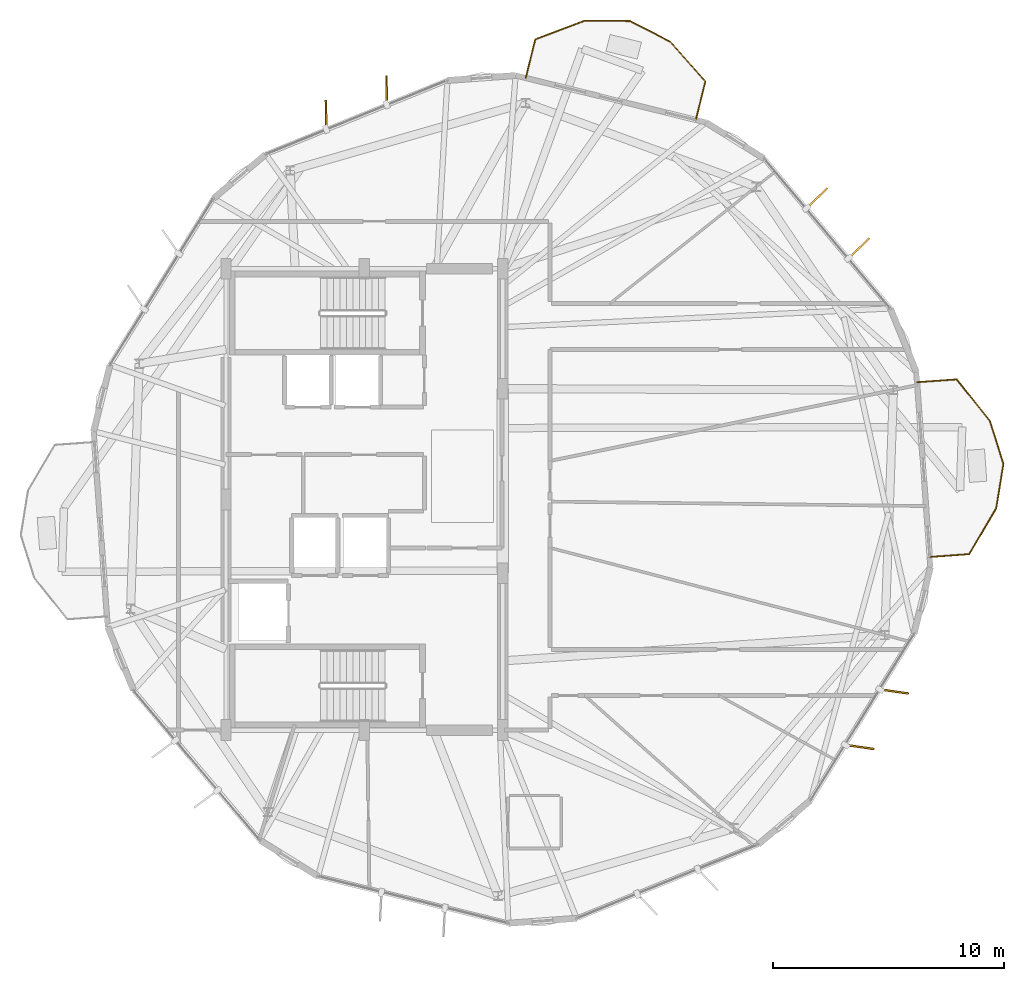
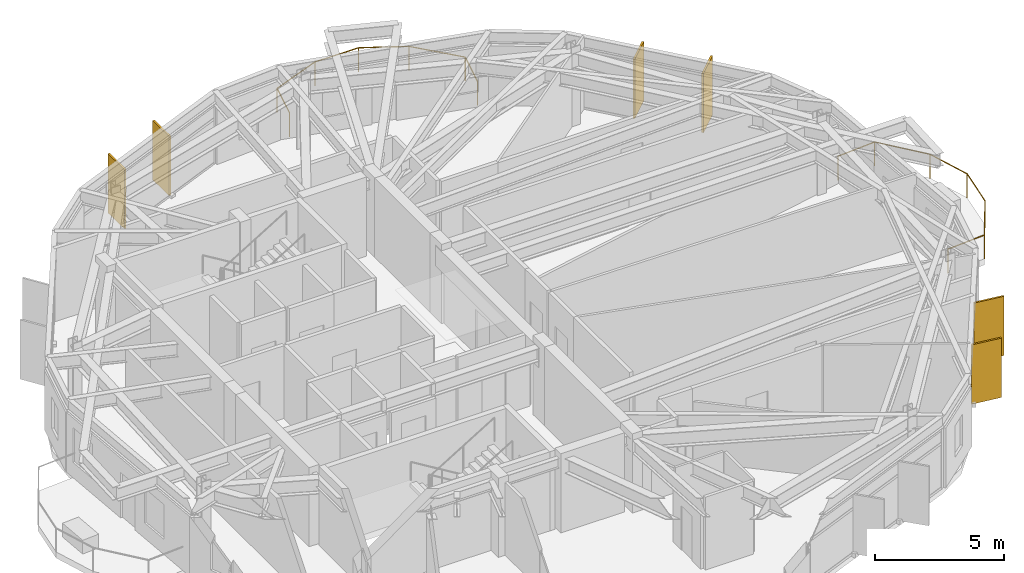
# One storey, part 26 of 26: 6 shading devices, 2 railings.
"""IFC4 building model written with IfcOpenShell, lengths in metres."""

from ifc_helpers import new_model, si_unit, direction, frame, origin, origin_2d, place, context, subcontext, project, spatial, rectangle, circle, extrude, material, layer, layer_set, type_object, element, save


model = new_model("IFC4")

# Units and contexts
model_context = context("Model", 3, precision=1e-05, world=origin(), true_north=direction((0.0, 1.0)))
body_context = subcontext(model_context, "Body", "Model", "MODEL_VIEW")
ifc_project = project(units=[si_unit("LENGTHUNIT", "METRE"), si_unit("AREAUNIT", "SQUARE_METRE"), si_unit("VOLUMEUNIT", "CUBIC_METRE"), si_unit("PLANEANGLEUNIT", "RADIAN"), si_unit("MASSUNIT", "GRAM", prefix="KILO")], contexts=[model_context])

# Site, building, storey
site_placement = place(None, origin())
site = spatial("IfcSite", under=ifc_project, at=site_placement, CompositionType="ELEMENT")
building_placement = place(site_placement, origin())
building = spatial("IfcBuilding", under=site, at=building_placement, Name="Soratama Intermodal Tower", CompositionType="ELEMENT")
storey_placement = place(building_placement, frame((0.0, 0.0, 246.25)))
storey = spatial("IfcBuildingStorey", under=building, at=storey_placement, Name="L62", CompositionType="ELEMENT", Elevation=246.25)

# Railings
ifc_material_1 = material(Name="Laminated glass and stainless steel balustrade", Category="steel")
railing_type = type_object("IfcRailingType", Name="RL-BAL-1150", PredefinedType="BALUSTRADE", material=ifc_material_1)
railing_1_placement = place(storey_placement, frame((62.558837890625, 30.080810546875, 0.0)))
element("IfcRailing", 1, at=railing_1_placement, inside=storey, type_object=railing_type, Name="L62 Balcony Balustrade 1", PredefinedType="BALUSTRADE", context=body_context, shape_type="SweptSolid", body=[
    extrude(circle(Radius=0.02392578125, at=origin_2d()), frame((0.0, 0.0, 1.1259765625), z_axis=(0.997397089126, 0.072104414583, 0.0), x_axis=(-0.072104414583, 0.997397089126, 0.0)), (0.0, 0.0, 1.0), 1.719970703125),
    extrude(circle(Radius=0.02392578125, at=origin_2d()), frame((1.715576171875, 0.1240234375, 1.1259765625), z_axis=(0.62584236627, -0.779949570538, 0.0), x_axis=(0.779949570538, 0.62584236627, 0.0)), (0.0, 0.0, 1.0), 2.30810546875),
    extrude(circle(Radius=0.02392578125, at=origin_2d()), frame((3.16015625, -1.67626953125, 1.1259765625), z_axis=(0.299748554654, -0.954018240907, 0.0), x_axis=(0.954018240907, 0.299748554654, 0.0)), (0.0, 0.0, 1.0), 1.952392578125),
    extrude(circle(Radius=0.02392578125, at=origin_2d()), frame((3.745361328125, -3.538818359375, 1.1259765625), z_axis=(-0.15918526054, -0.987248728957, 0.0), x_axis=(0.987248728957, -0.15918526054, 0.0)), (0.0, 0.0, 1.0), 1.952392578125),
    extrude(circle(Radius=0.02392578125, at=origin_2d()), frame((3.4345703125, -5.46630859375, 1.1259765625), z_axis=(-0.5070571045, -0.861912462363, 0.0), x_axis=(0.861912462363, -0.5070571045, 0.0)), (0.0, 0.0, 1.0), 2.308349609375),
    extrude(circle(Radius=0.02392578125, at=origin_2d()), frame((2.26416015625, -7.455810546875, 1.1259765625), z_axis=(-0.997386871532, -0.072245612297, 0.0), x_axis=(0.072245612297, -0.997386871532, 0.0)), (0.0, 0.0, 1.0), 1.719970703125),
    extrude(circle(Radius=0.02099609375, at=origin_2d()), origin(), (0.0, 0.0, 1.0), 1.101806640625),
    extrude(circle(Radius=0.02099609375, at=origin_2d()), frame((1.715576171875, 0.1240234375, 0.0)), (0.0, 0.0, 1.0), 1.101806640625),
    extrude(circle(Radius=0.02099609375, at=origin_2d()), frame((3.16015625, -1.67626953125, 0.0)), (0.0, 0.0, 1.0), 1.101806640625),
    extrude(circle(Radius=0.02099609375, at=origin_2d()), frame((3.745361328125, -3.538818359375, 0.0)), (0.0, 0.0, 1.0), 1.101806640625),
    extrude(circle(Radius=0.02099609375, at=origin_2d()), frame((3.4345703125, -5.46630859375, 0.0)), (0.0, 0.0, 1.0), 1.101806640625),
    extrude(circle(Radius=0.02099609375, at=origin_2d()), frame((2.26416015625, -7.455810546875, 0.0)), (0.0, 0.0, 1.0), 1.101806640625),
    extrude(circle(Radius=0.02099609375, at=origin_2d()), frame((0.548583984375, -7.580078125, 0.0)), (0.0, 0.0, 1.0), 1.101806640625),
])
railing_2_placement = place(storey_placement, frame((45.593994140625, 43.26953125, 0.0)))
element("IfcRailing", 2, at=railing_2_placement, inside=storey, type_object=railing_type, Name="L62 Balcony Balustrade 2", PredefinedType="BALUSTRADE", context=body_context, shape_type="SweptSolid", body=[
    extrude(circle(Radius=0.02392578125, at=origin_2d()), frame((0.0, 0.0, 1.1259765625), z_axis=(0.239461710406, 0.970905808639, 0.0), x_axis=(-0.970905808639, 0.239461710406, 0.0)), (0.0, 0.0, 1.0), 1.719970703125),
    extrude(circle(Radius=0.02392578125, at=origin_2d()), frame((0.411865234375, 1.669921875, 1.1259765625), z_axis=(0.93516793844, 0.354204639882, 0.0), x_axis=(-0.354204639882, 0.93516793844, 0.0)), (0.0, 0.0, 1.0), 2.308349609375),
    extrude(circle(Radius=0.02392578125, at=origin_2d()), frame((2.570556640625, 2.487548828125, 1.1259765625), z_axis=(0.999951196966, -0.009879457799, 0.0), x_axis=(0.009879457799, 0.999951196966, 0.0)), (0.0, 0.0, 1.0), 1.9521484375),
    extrude(circle(Radius=0.02392578125, at=origin_2d()), frame((4.522705078125, 2.46826171875, 1.1259765625), z_axis=(0.889752355873, -0.456443583828, 0.0), x_axis=(0.456443583828, 0.889752355873, 0.0)), (0.0, 0.0, 1.0), 1.952392578125),
    extrude(circle(Radius=0.02392578125, at=origin_2d()), frame((6.259765625, 1.5771484375, 1.1259765625), z_axis=(0.663141922094, -0.748493681444, 0.0), x_axis=(0.748493681444, 0.663141922094, 0.0)), (0.0, 0.0, 1.0), 2.308349609375),
    extrude(circle(Radius=0.02392578125, at=origin_2d()), frame((7.79052734375, -0.150634765625, 1.1259765625), z_axis=(-0.239595509462, -0.970872799004, 0.0), x_axis=(0.970872799004, -0.239595509462, 0.0)), (0.0, 0.0, 1.0), 1.719970703125),
    extrude(circle(Radius=0.02099609375, at=origin_2d()), origin(), (0.0, 0.0, 1.0), 1.101806640625),
    extrude(circle(Radius=0.02099609375, at=origin_2d()), frame((0.411865234375, 1.669921875, 0.0)), (0.0, 0.0, 1.0), 1.101806640625),
    extrude(circle(Radius=0.02099609375, at=origin_2d()), frame((2.570556640625, 2.487548828125, 0.0)), (0.0, 0.0, 1.0), 1.101806640625),
    extrude(circle(Radius=0.02099609375, at=origin_2d()), frame((4.522705078125, 2.46826171875, 0.0)), (0.0, 0.0, 1.0), 1.101806640625),
    extrude(circle(Radius=0.02099609375, at=origin_2d()), frame((6.259765625, 1.5771484375, 0.0)), (0.0, 0.0, 1.0), 1.101806640625),
    extrude(circle(Radius=0.02099609375, at=origin_2d()), frame((7.79052734375, -0.150634765625, 0.0)), (0.0, 0.0, 1.0), 1.101806640625),
    extrude(circle(Radius=0.02099609375, at=origin_2d()), frame((7.37841796875, -1.820556640625, 0.0)), (0.0, 0.0, 1.0), 1.101806640625),
])

# Shading devices
ifc_material_2 = material(Name="Champagne anodised aluminium solar fin", Category="aluminium")
ifc_layer = layer(ifc_material_2, 0.080078125)
ifc_layer_set = layer_set([ifc_layer], Name="Champagne anodised aluminium solar fin")
shading_device_type = type_object("IfcShadingDeviceType", Name="SH-FIN-1250", PredefinedType="USERDEFINED", material=ifc_layer_set)
for number, where, z_axis, x_axis, name in (
    (3, (39.565185546875, 42.740234375, 0.02001953125), (0.0, 0.0, 1.0), (-0.013264113344, 0.999912027779, 0.0), "L62 Solar Fin F02-1"),
    (4, (36.94091796875, 41.672607421875, 0.02001953125), (0.0, 0.0, 1.0), (-0.013264113344, 0.999912027779, 0.0), "L62 Solar Fin F02-2"),
    (5, (60.076904296875, 14.267578125, 0.02001953125), (0.0, 0.0, 1.0), (0.989875563477, -0.14193790484, 0.0), "L62 Solar Fin F08-1"),
    (6, (61.572265625, 16.673828125, 0.02001953125), (0.0, 0.0, 1.0), (0.989875563477, -0.14193790484, 0.0), "L62 Solar Fin F08-2"),
    (7, (60.046630859375, 35.890625, 0.02001953125), (0.0, 0.0, 1.0), (0.720672122155, 0.693276057822, 0.0), "L62 Solar Fin F10-1"),
    (8, (58.22021484375, 38.056396484375, 0.02001953125), (0.0, 0.0, 1.0), (0.720672122155, 0.693276057822, 0.0), "L62 Solar Fin F10-2"),
):
    element("IfcShadingDevice", number, at=place(storey_placement, frame(where, z_axis=z_axis, x_axis=x_axis)), inside=storey, type_object=shading_device_type, Name=name, ObjectType="FIN", PredefinedType="USERDEFINED", context=body_context, shape_type="SweptSolid", body=[
        extrude(rectangle(XDim=1.25, YDim=0.080078125, at=origin_2d()), origin(), (0.0, 0.0, 1.0), 2.80908203125),
    ])

save(model, "model.ifc")
